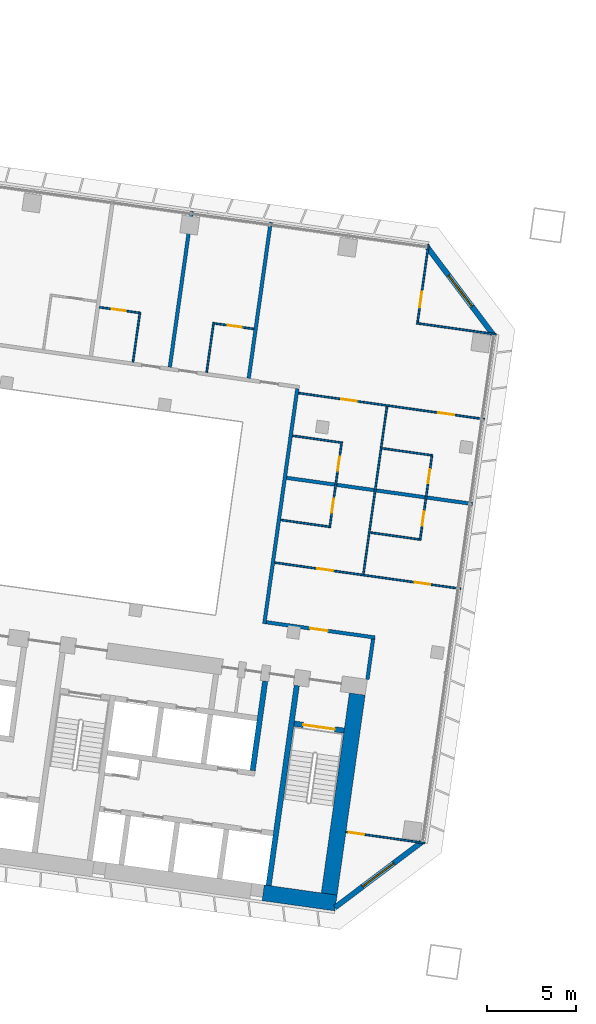
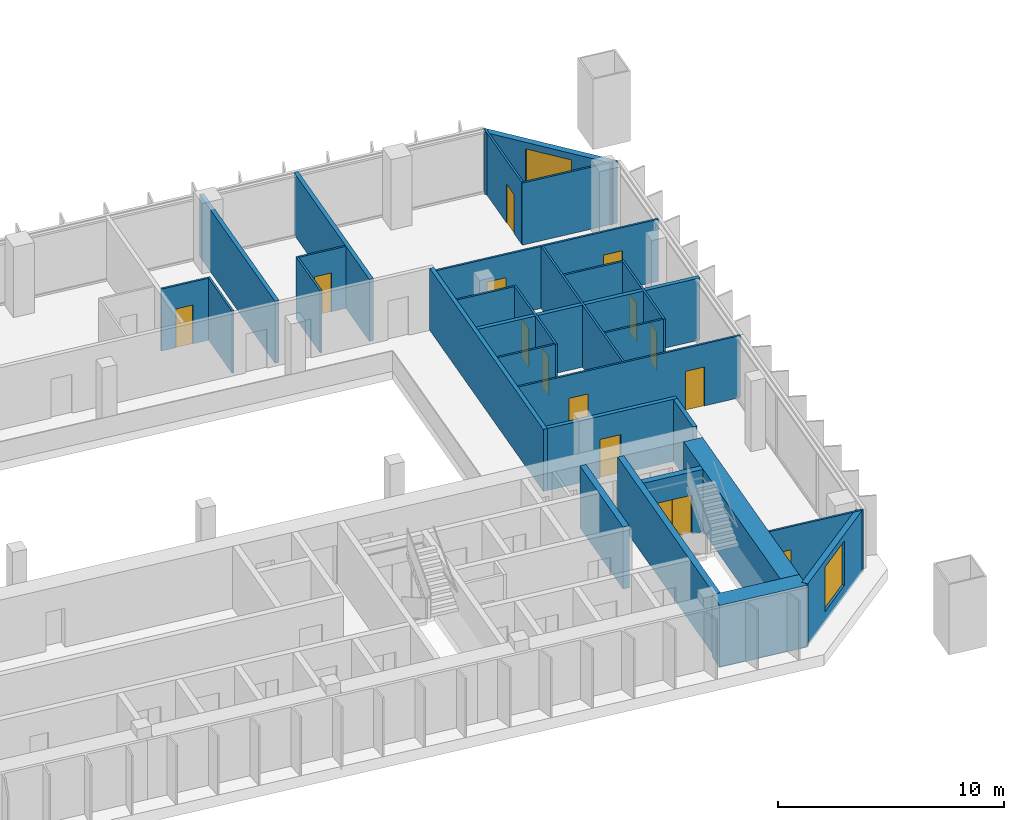
# One storey, part 17 of 25: 29 walls, 14 doors, 2 windows, 16 openings.
"""IFC4 building model written with IfcOpenShell, lengths in metres."""

from ifc_helpers import new_model, si_unit, direction, frame, frame_2d, origin, place, context, subcontext, project, spatial, rectangle, extrude, material, layer, layer_set, type_object, element, fill, save


model = new_model("IFC4")

# Units and contexts
model_context = context("Model", 3, precision=1e-05, world=origin(), true_north=direction((0.0, 1.0)))
body_context = subcontext(model_context, "Body", "Model", "MODEL_VIEW")
ifc_project = project(units=[si_unit("LENGTHUNIT", "METRE"), si_unit("AREAUNIT", "SQUARE_METRE"), si_unit("VOLUMEUNIT", "CUBIC_METRE"), si_unit("PLANEANGLEUNIT", "RADIAN"), si_unit("MASSUNIT", "GRAM", prefix="KILO")], contexts=[model_context])

# Site, building, storey
site_placement = place(None, origin())
site = spatial("IfcSite", under=ifc_project, at=site_placement, CompositionType="ELEMENT")
building_placement = place(site_placement, origin())
building = spatial("IfcBuilding", under=site, at=building_placement, Name="Mirante Cascada Hotel Towers", CompositionType="ELEMENT")
storey_placement = place(building_placement, frame((0.0, 0.0, 69.9)))
storey = spatial("IfcBuildingStorey", under=building, at=storey_placement, Name="L14", CompositionType="ELEMENT", Elevation=69.9)

# Wall, opening, door
ifc_material_1 = material(Name="Fire-rated plasterboard on metal studs")
ifc_layer_1 = layer(ifc_material_1, 0.2)
ifc_layer_set_1 = layer_set([ifc_layer_1], Name="Compartment wall 200 EI 120")
wall_type_1 = type_object("IfcWallType", Name="Compartment wall 200 EI 120", PredefinedType="PARTITIONING", material=ifc_layer_set_1)
wall_1_placement = place(storey_placement, frame((-34.8304, -4.7545, 0.0), z_axis=(0.0, 0.0, 1.0), x_axis=(-0.9902695, 0.1391629, 0.0)))
wall_1 = element("IfcWall", 1, at=wall_1_placement, inside=storey, type_object=wall_type_1, Name="Wall 1-L14-03", PredefinedType="PARTITIONING", context=body_context, shape_type="SweptSolid", body=[
    extrude(rectangle(XDim=6.1999, YDim=0.2, at=frame_2d((3.1, 0.0))), origin(), (0.0, 0.0, 1.0), 3.35),
])
opening_1_placement = place(wall_1_placement, frame((2.7, 0.0, 0.0)))
opening_1 = element("IfcOpeningElement", 2, at=opening_1_placement, cuts=wall_1, Name="Opening D1-L14-04", PredefinedType="OPENING", context=body_context, shape_type="SweptSolid", body=[
    extrude(rectangle(XDim=1.0, YDim=2.1, at=frame_2d((0.5, 1.05))), frame((0.0, 0.1, 0.0), z_axis=(0.0, -1.0, 0.0), x_axis=(1.0, 0.0, 0.0)), (0.0, 0.0, 1.0), 0.2),
])
ifc_material_2 = material(Name="Fire-rated timber door leaf", Category="wood")
door_type_1 = type_object("IfcDoorType", Name="Entrance door DG1 1000x2100 EI 60", OperationType="SINGLE_SWING_LEFT", PredefinedType="DOOR", material=ifc_material_2)
door_1_placement = place(opening_1_placement, origin())
door_1 = element("IfcDoor", 3, at=door_1_placement, inside=storey, type_object=door_type_1, Name="Door D1-L14-04", OperationType="SINGLE_SWING_LEFT", OverallHeight=2.1, OverallWidth=1.0, PredefinedType="DOOR", context=body_context, shape_type="SweptSolid", body=[
    extrude(rectangle(XDim=1.0, YDim=2.1, at=frame_2d((0.5, 1.05))), frame((0.0, 0.025, 0.0), z_axis=(0.0, -1.0, 0.0), x_axis=(1.0, 0.0, 0.0)), (0.0, 0.0, 1.0), 0.05),
])
fill(opening_1, door_1)

# Walls
wall_2_placement = place(storey_placement, frame((-29.3273, 2.7863, 0.0), z_axis=(0.0, 0.0, 1.0), x_axis=(-0.9902686, 0.1391691, 0.0)))
element("IfcWall", 4, at=wall_2_placement, inside=storey, type_object=wall_type_1, Name="Wall 1-L14-11", PredefinedType="PARTITIONING", context=body_context, shape_type="SweptSolid", body=[
    extrude(rectangle(XDim=10.6001, YDim=0.2, at=frame_2d((5.3, 0.0))), origin(), (0.0, 0.0, 1.0), 3.35),
])
wall_3_placement = place(storey_placement, frame((-34.9433, -4.8397, 0.0), z_axis=(0.0, 0.0, 1.0), x_axis=(-0.1391749, -0.9902678, 0.0)))
element("IfcWall", 5, at=wall_3_placement, inside=storey, type_object=wall_type_1, Name="Wall 1-L14-30", PredefinedType="PARTITIONING", context=body_context, shape_type="SweptSolid", body=[
    extrude(rectangle(XDim=2.3, YDim=0.2, at=frame_2d((1.15, 0.0))), origin(), (0.0, 0.0, 1.0), 3.35),
])
wall_4_placement = place(storey_placement, frame((-39.2181, 9.2928, 0.0), z_axis=(0.0, 0.0, 1.0), x_axis=(-0.1391716, -0.9902683, 0.0)))
element("IfcWall", 6, at=wall_4_placement, inside=storey, type_object=wall_type_1, Name="Wall 1-L14-34", PredefinedType="PARTITIONING", context=body_context, shape_type="SweptSolid", body=[
    extrude(rectangle(XDim=13.4, YDim=0.2, at=frame_2d((6.7, 0.0))), origin(), (0.0, 0.0, 1.0), 3.35),
])
for number, where, z_axis, x_axis, name in (
    (7, (-41.963, 9.8805, 0.0), (0.0, 0.0, 1.0), (0.1391794, 0.9902672, 0.0), "Wall 1-L14-35"),
    (8, (-46.4192, 10.5068, 0.0), (0.0, 0.0, 1.0), (0.1391794, 0.9902672, 0.0), "Wall 1-L14-37"),
):
    element("IfcWall", number, at=place(storey_placement, frame(where, z_axis=z_axis, x_axis=x_axis)), inside=storey, type_object=wall_type_1, Name=name, PredefinedType="PARTITIONING", context=body_context, shape_type="SweptSolid", body=[
        extrude(rectangle(XDim=8.9, YDim=0.2, at=frame_2d((4.45, 0.0))), origin(), (0.0, 0.0, 1.0), 3.35),
    ])

# Wall, opening, door
ifc_material_3 = material(Name="Plasterboard on metal studs")
ifc_layer_2 = layer(ifc_material_3, 0.1)
ifc_layer_set_2 = layer_set([ifc_layer_2], Name="Partition 100")
wall_type_2 = type_object("IfcWallType", Name="Partition 100", PredefinedType="PARTITIONING", material=ifc_layer_set_2)
wall_5_placement = place(storey_placement, frame((-32.018, -16.3589, 0.0), z_axis=(0.0, 0.0, 1.0), x_axis=(-0.9902674, 0.1391779, 0.0)))
wall_5 = element("IfcWall", 9, at=wall_5_placement, inside=storey, type_object=wall_type_2, Name="Wall 1-L14-01", PredefinedType="PARTITIONING", context=body_context, shape_type="SweptSolid", body=[
    extrude(rectangle(XDim=4.5, YDim=0.1, at=frame_2d((2.25, 0.0))), origin(), (0.0, 0.0, 1.0), 3.35),
])
opening_2_placement = place(wall_5_placement, frame((3.45, 0.0, 0.0)))
opening_2 = element("IfcOpeningElement", 10, at=opening_2_placement, cuts=wall_5, Name="Opening D1-L14-01", PredefinedType="OPENING", context=body_context, shape_type="SweptSolid", body=[
    extrude(rectangle(XDim=0.9, YDim=2.1, at=frame_2d((0.45, 1.05))), frame((0.0, 0.05, 0.0), z_axis=(0.0, -1.0, 0.0), x_axis=(1.0, 0.0, 0.0)), (0.0, 0.0, 1.0), 0.1),
])
ifc_material_4 = material(Name="Timber door leaf", Category="wood")
door_type_2 = type_object("IfcDoorType", Name="Room door DG3 900x2100", OperationType="SINGLE_SWING_LEFT", PredefinedType="DOOR", material=ifc_material_4)
door_2_placement = place(opening_2_placement, frame((0.9, 0.0, 0.0), z_axis=(0.0, 0.0, 1.0), x_axis=(-1.0, 0.0, 0.0)))
door_2 = element("IfcDoor", 11, at=door_2_placement, inside=storey, type_object=door_type_2, Name="Door D1-L14-01", OperationType="SINGLE_SWING_RIGHT", OverallHeight=2.1, OverallWidth=0.9, PredefinedType="DOOR", context=body_context, shape_type="SweptSolid", body=[
    extrude(rectangle(XDim=0.9, YDim=2.1, at=frame_2d((0.45, 1.05))), frame((0.0, 0.025, 0.0), z_axis=(0.0, -1.0, 0.0), x_axis=(1.0, 0.0, 0.0)), (0.0, 0.0, 1.0), 0.05),
])
fill(opening_2, door_2)

# Wall, openings, doors
wall_6_placement = place(storey_placement, frame((-40.4968, -0.5248, 0.0), z_axis=(0.0, 0.0, 1.0), x_axis=(0.9902684, -0.1391704, 0.0)))
wall_6 = element("IfcWall", 12, at=wall_6_placement, inside=storey, type_object=wall_type_2, Name="Wall 1-L14-06", PredefinedType="PARTITIONING", context=body_context, shape_type="SweptSolid", body=[
    extrude(rectangle(XDim=10.6, YDim=0.1, at=frame_2d((5.3, 0.0))), origin(), (0.0, 0.0, 1.0), 3.35),
])
opening_3_placement = place(wall_6_placement, frame((7.975, 0.0, 0.0)))
opening_3 = element("IfcOpeningElement", 13, at=opening_3_placement, cuts=wall_6, Name="Opening D1-L14-05", PredefinedType="OPENING", context=body_context, shape_type="SweptSolid", body=[
    extrude(rectangle(XDim=0.9, YDim=2.1, at=frame_2d((0.45, 1.05))), frame((0.0, 0.05, 0.0), z_axis=(0.0, -1.0, 0.0), x_axis=(1.0, 0.0, 0.0)), (0.0, 0.0, 1.0), 0.1),
])
opening_4_placement = place(wall_6_placement, frame((2.425, 0.0, 0.0)))
opening_4 = element("IfcOpeningElement", 14, at=opening_4_placement, cuts=wall_6, Name="Opening D1-L14-06", PredefinedType="OPENING", context=body_context, shape_type="SweptSolid", body=[
    extrude(rectangle(XDim=0.9, YDim=2.1, at=frame_2d((0.45, 1.05))), frame((0.0, 0.05, 0.0), z_axis=(0.0, -1.0, 0.0), x_axis=(1.0, 0.0, 0.0)), (0.0, 0.0, 1.0), 0.1),
])
door_3_placement = place(opening_3_placement, frame((0.9, 0.0, 0.0), z_axis=(0.0, 0.0, 1.0), x_axis=(-1.0, 0.0, 0.0)))
door_3 = element("IfcDoor", 15, at=door_3_placement, inside=storey, type_object=door_type_2, Name="Door D1-L14-05", OperationType="SINGLE_SWING_RIGHT", OverallHeight=2.1, OverallWidth=0.9, PredefinedType="DOOR", context=body_context, shape_type="SweptSolid", body=[
    extrude(rectangle(XDim=0.9, YDim=2.1, at=frame_2d((0.45, 1.05))), frame((0.0, 0.025, 0.0), z_axis=(0.0, -1.0, 0.0), x_axis=(1.0, 0.0, 0.0)), (0.0, 0.0, 1.0), 0.05),
])
fill(opening_3, door_3)
door_4_placement = place(opening_4_placement, frame((0.9, 0.0, 0.0), z_axis=(0.0, 0.0, 1.0), x_axis=(-1.0, 0.0, 0.0)))
door_4 = element("IfcDoor", 16, at=door_4_placement, inside=storey, type_object=door_type_2, Name="Door D1-L14-06", OperationType="SINGLE_SWING_RIGHT", OverallHeight=2.1, OverallWidth=0.9, PredefinedType="DOOR", context=body_context, shape_type="SweptSolid", body=[
    extrude(rectangle(XDim=0.9, YDim=2.1, at=frame_2d((0.45, 1.05))), frame((0.0, 0.025, 0.0), z_axis=(0.0, -1.0, 0.0), x_axis=(1.0, 0.0, 0.0)), (0.0, 0.0, 1.0), 0.05),
])
fill(opening_4, door_4)

# Walls
wall_7_placement = place(storey_placement, frame((-32.3351, 0.7854, 0.0), z_axis=(0.0, 0.0, 1.0), x_axis=(-0.990267, 0.139181, 0.0)))
element("IfcWall", 17, at=wall_7_placement, inside=storey, type_object=wall_type_2, Name="Wall 1-L14-09", PredefinedType="PARTITIONING", context=body_context, shape_type="SweptSolid", body=[
    extrude(rectangle(XDim=2.8, YDim=0.1, at=frame_2d((1.4, 0.0))), origin(), (0.0, 0.0, 1.0), 3.35),
])
wall_8_placement = place(storey_placement, frame((-40.1582, 1.8849, 0.0), z_axis=(0.0, 0.0, 1.0), x_axis=(0.9902641, -0.1392013, 0.0)))
element("IfcWall", 18, at=wall_8_placement, inside=storey, type_object=wall_type_2, Name="Wall 1-L14-10", PredefinedType="PARTITIONING", context=body_context, shape_type="SweptSolid", body=[
    extrude(rectangle(XDim=2.75, YDim=0.1, at=frame_2d((1.375, 0.0))), origin(), (0.0, 0.0, 1.0), 3.35),
])
wall_9_placement = place(storey_placement, frame((-31.667, 5.5387, 0.0), z_axis=(0.0, 0.0, 1.0), x_axis=(-0.9902677, 0.139176, 0.0)))
element("IfcWall", 19, at=wall_9_placement, inside=storey, type_object=wall_type_2, Name="Wall 1-L14-13", PredefinedType="PARTITIONING", context=body_context, shape_type="SweptSolid", body=[
    extrude(rectangle(XDim=2.8001, YDim=0.1, at=frame_2d((1.4, 0.0))), origin(), (0.0, 0.0, 1.0), 3.35),
])
wall_10_placement = place(storey_placement, frame((-39.4902, 6.6381, 0.0), z_axis=(0.0, 0.0, 1.0), x_axis=(0.9902698, -0.1391607, 0.0)))
element("IfcWall", 20, at=wall_10_placement, inside=storey, type_object=wall_type_2, Name="Wall 1-L14-14", PredefinedType="PARTITIONING", context=body_context, shape_type="SweptSolid", body=[
    extrude(rectangle(XDim=2.7501, YDim=0.1, at=frame_2d((1.3751, 0.0))), origin(), (0.0, 0.0, 1.0), 3.35),
])

# Wall, openings, doors
wall_11_placement = place(storey_placement, frame((-28.6547, 7.5726, 0.0), z_axis=(0.0, 0.0, 1.0), x_axis=(-0.9902671, 0.1391797, 0.0)))
wall_11 = element("IfcWall", 21, at=wall_11_placement, inside=storey, type_object=wall_type_2, Name="Wall 1-L14-17", PredefinedType="PARTITIONING", context=body_context, shape_type="SweptSolid", body=[
    extrude(rectangle(XDim=10.6, YDim=0.1, at=frame_2d((5.3, 0.0))), origin(), (0.0, 0.0, 1.0), 3.35),
])
opening_5_placement = place(wall_11_placement, frame((1.725, 0.0, 0.0)))
opening_5 = element("IfcOpeningElement", 22, at=opening_5_placement, cuts=wall_11, Name="Opening D1-L14-07", PredefinedType="OPENING", context=body_context, shape_type="SweptSolid", body=[
    extrude(rectangle(XDim=0.9, YDim=2.1, at=frame_2d((0.45, 1.05))), frame((0.0, 0.05, 0.0), z_axis=(0.0, -1.0, 0.0), x_axis=(1.0, 0.0, 0.0)), (0.0, 0.0, 1.0), 0.1),
])
opening_6_placement = place(wall_11_placement, frame((7.275, 0.0, 0.0)))
opening_6 = element("IfcOpeningElement", 23, at=opening_6_placement, cuts=wall_11, Name="Opening D1-L14-08", PredefinedType="OPENING", context=body_context, shape_type="SweptSolid", body=[
    extrude(rectangle(XDim=0.9, YDim=2.1, at=frame_2d((0.45, 1.05))), frame((0.0, 0.05, 0.0), z_axis=(0.0, -1.0, 0.0), x_axis=(1.0, 0.0, 0.0)), (0.0, 0.0, 1.0), 0.1),
])
door_5_placement = place(opening_5_placement, frame((0.9, 0.0, 0.0), z_axis=(0.0, 0.0, 1.0), x_axis=(-1.0, 0.0, 0.0)))
door_5 = element("IfcDoor", 24, at=door_5_placement, inside=storey, type_object=door_type_2, Name="Door D1-L14-07", OperationType="SINGLE_SWING_RIGHT", OverallHeight=2.1, OverallWidth=0.9, PredefinedType="DOOR", context=body_context, shape_type="SweptSolid", body=[
    extrude(rectangle(XDim=0.9, YDim=2.1, at=frame_2d((0.45, 1.05))), frame((0.0, 0.025, 0.0), z_axis=(0.0, -1.0, 0.0), x_axis=(1.0, 0.0, 0.0)), (0.0, 0.0, 1.0), 0.05),
])
fill(opening_5, door_5)
door_6_placement = place(opening_6_placement, frame((0.9, 0.0, 0.0), z_axis=(0.0, 0.0, 1.0), x_axis=(-1.0, 0.0, 0.0)))
door_6 = element("IfcDoor", 25, at=door_6_placement, inside=storey, type_object=door_type_2, Name="Door D1-L14-08", OperationType="SINGLE_SWING_RIGHT", OverallHeight=2.1, OverallWidth=0.9, PredefinedType="DOOR", context=body_context, shape_type="SweptSolid", body=[
    extrude(rectangle(XDim=0.9, YDim=2.1, at=frame_2d((0.45, 1.05))), frame((0.0, 0.025, 0.0), z_axis=(0.0, -1.0, 0.0), x_axis=(1.0, 0.0, 0.0)), (0.0, 0.0, 1.0), 0.05),
])
fill(opening_6, door_6)

# Wall, opening, door
wall_12_placement = place(storey_placement, frame((-43.9004, 12.9804, 0.0), z_axis=(0.0, 0.0, 1.0), x_axis=(0.9902643, -0.1391997, 0.0)))
wall_12 = element("IfcWall", 26, at=wall_12_placement, inside=storey, type_object=wall_type_2, Name="Wall 1-L14-20", PredefinedType="PARTITIONING", context=body_context, shape_type="SweptSolid", body=[
    extrude(rectangle(XDim=2.25, YDim=0.1, at=frame_2d((1.125, 0.0))), origin(), (0.0, 0.0, 1.0), 3.35),
])
opening_7_placement = place(wall_12_placement, frame((0.75, 0.0, 0.0)))
opening_7 = element("IfcOpeningElement", 27, at=opening_7_placement, cuts=wall_12, Name="Opening D1-L14-21", PredefinedType="OPENING", context=body_context, shape_type="SweptSolid", body=[
    extrude(rectangle(XDim=0.8, YDim=2.1, at=frame_2d((0.4, 1.05))), frame((0.0, 0.05, 0.0), z_axis=(0.0, -1.0, 0.0), x_axis=(1.0, 0.0, 0.0)), (0.0, 0.0, 1.0), 0.1),
])
ifc_material_5 = material(Name="Timber door leaf", Category="wood")
door_type_3 = type_object("IfcDoorType", Name="Bathroom door DG4 800x2100", OperationType="SINGLE_SWING_LEFT", PredefinedType="DOOR", material=ifc_material_5)
door_7_placement = place(opening_7_placement, origin())
door_7 = element("IfcDoor", 28, at=door_7_placement, inside=storey, type_object=door_type_3, Name="Door D1-L14-21", OperationType="SINGLE_SWING_LEFT", OverallHeight=2.1, OverallWidth=0.8, PredefinedType="DOOR", context=body_context, shape_type="SweptSolid", body=[
    extrude(rectangle(XDim=0.8, YDim=2.1, at=frame_2d((0.4, 1.05))), frame((0.0, 0.025, 0.0), z_axis=(0.0, -1.0, 0.0), x_axis=(1.0, 0.0, 0.0)), (0.0, 0.0, 1.0), 0.05),
])
fill(opening_7, door_7)

wall_13_placement = place(storey_placement, frame((-48.1586, 13.5788, 0.0), z_axis=(0.0, 0.0, 1.0), x_axis=(-0.9902705, 0.1391561, 0.0)))
wall_13 = element("IfcWall", 29, at=wall_13_placement, inside=storey, type_object=wall_type_2, Name="Wall 1-L14-21", PredefinedType="PARTITIONING", context=body_context, shape_type="SweptSolid", body=[
    extrude(rectangle(XDim=2.25, YDim=0.1, at=frame_2d((1.125, 0.0))), origin(), (0.0, 0.0, 1.0), 3.35),
])
opening_8_placement = place(wall_13_placement, frame((0.75, 0.0, 0.0)))
opening_8 = element("IfcOpeningElement", 30, at=opening_8_placement, cuts=wall_13, Name="Opening D1-L14-22", PredefinedType="OPENING", context=body_context, shape_type="SweptSolid", body=[
    extrude(rectangle(XDim=0.8, YDim=2.1, at=frame_2d((0.4, 1.05))), frame((0.0, 0.05, 0.0), z_axis=(0.0, -1.0, 0.0), x_axis=(1.0, 0.0, 0.0)), (0.0, 0.0, 1.0), 0.1),
])
door_8_placement = place(opening_8_placement, frame((0.8, 0.0, 0.0), z_axis=(0.0, 0.0, 1.0), x_axis=(-1.0, 0.0, 0.0)))
door_8 = element("IfcDoor", 31, at=door_8_placement, inside=storey, type_object=door_type_3, Name="Door D1-L14-22", OperationType="SINGLE_SWING_RIGHT", OverallHeight=2.1, OverallWidth=0.8, PredefinedType="DOOR", context=body_context, shape_type="SweptSolid", body=[
    extrude(rectangle(XDim=0.8, YDim=2.1, at=frame_2d((0.4, 1.05))), frame((0.0, 0.025, 0.0), z_axis=(0.0, -1.0, 0.0), x_axis=(1.0, 0.0, 0.0)), (0.0, 0.0, 1.0), 0.05),
])
fill(opening_8, door_8)

# Wall
wall_14_placement = place(storey_placement, frame((-27.982, 12.3589, 0.0), z_axis=(0.0, 0.0, 1.0), x_axis=(-0.9902691, 0.1391656, 0.0)))
element("IfcWall", 32, at=wall_14_placement, inside=storey, type_object=wall_type_2, Name="Wall 1-L14-27", PredefinedType="PARTITIONING", context=body_context, shape_type="SweptSolid", body=[
    extrude(rectangle(XDim=4.55, YDim=0.1, at=frame_2d((2.275, 0.0))), origin(), (0.0, 0.0, 1.0), 3.35),
])

# Wall, openings, doors
wall_15_placement = place(storey_placement, frame((-32.2925, 0.7289, 0.0), z_axis=(0.0, 0.0, 1.0), x_axis=(0.1391638, 0.9902694, 0.0)))
wall_15 = element("IfcWall", 33, at=wall_15_placement, inside=storey, type_object=wall_type_2, Name="Wall 1-L14-29", PredefinedType="PARTITIONING", context=body_context, shape_type="SweptSolid", body=[
    extrude(rectangle(XDim=4.9, YDim=0.1, at=frame_2d((2.45, 0.0))), origin(), (0.0, 0.0, 1.0), 3.35),
])
opening_9_placement = place(wall_15_placement, frame((0.85, 0.0, 0.0)))
opening_9 = element("IfcOpeningElement", 34, at=opening_9_placement, cuts=wall_15, Name="Opening D1-L14-29", PredefinedType="OPENING", context=body_context, shape_type="SweptSolid", body=[
    extrude(rectangle(XDim=0.8, YDim=2.1, at=frame_2d((0.4, 1.05))), frame((0.0, 0.05, 0.0), z_axis=(0.0, -1.0, 0.0), x_axis=(1.0, 0.0, 0.0)), (0.0, 0.0, 1.0), 0.1),
])
opening_10_placement = place(wall_15_placement, frame((3.25, 0.0, 0.0)))
opening_10 = element("IfcOpeningElement", 35, at=opening_10_placement, cuts=wall_15, Name="Opening D1-L14-30", PredefinedType="OPENING", context=body_context, shape_type="SweptSolid", body=[
    extrude(rectangle(XDim=0.8, YDim=2.1, at=frame_2d((0.4, 1.05))), frame((0.0, 0.05, 0.0), z_axis=(0.0, -1.0, 0.0), x_axis=(1.0, 0.0, 0.0)), (0.0, 0.0, 1.0), 0.1),
])
door_9_placement = place(opening_9_placement, origin())
door_9 = element("IfcDoor", 36, at=door_9_placement, inside=storey, type_object=door_type_3, Name="Door D1-L14-29", OperationType="SINGLE_SWING_LEFT", OverallHeight=2.1, OverallWidth=0.8, PredefinedType="DOOR", context=body_context, shape_type="SweptSolid", body=[
    extrude(rectangle(XDim=0.8, YDim=2.1, at=frame_2d((0.4, 1.05))), frame((0.0, 0.025, 0.0), z_axis=(0.0, -1.0, 0.0), x_axis=(1.0, 0.0, 0.0)), (0.0, 0.0, 1.0), 0.05),
])
fill(opening_9, door_9)
door_10_placement = place(opening_10_placement, origin())
door_10 = element("IfcDoor", 37, at=door_10_placement, inside=storey, type_object=door_type_3, Name="Door D1-L14-30", OperationType="SINGLE_SWING_LEFT", OverallHeight=2.1, OverallWidth=0.8, PredefinedType="DOOR", context=body_context, shape_type="SweptSolid", body=[
    extrude(rectangle(XDim=0.8, YDim=2.1, at=frame_2d((0.4, 1.05))), frame((0.0, 0.025, 0.0), z_axis=(0.0, -1.0, 0.0), x_axis=(1.0, 0.0, 0.0)), (0.0, 0.0, 1.0), 0.05),
])
fill(opening_10, door_10)

# Wall, opening, door
wall_16_placement = place(storey_placement, frame((-32.4312, 13.0347, 0.0), z_axis=(0.0, 0.0, 1.0), x_axis=(0.1391684, 0.9902687, 0.0)))
wall_16 = element("IfcWall", 38, at=wall_16_placement, inside=storey, type_object=wall_type_2, Name="Wall 1-L14-31", PredefinedType="PARTITIONING", context=body_context, shape_type="SweptSolid", body=[
    extrude(rectangle(XDim=4.45, YDim=0.1, at=frame_2d((2.225, 0.0))), origin(), (0.0, 0.0, 1.0), 3.35),
])
opening_11_placement = place(wall_16_placement, frame((0.8583, 0.0, 0.0)))
opening_11 = element("IfcOpeningElement", 39, at=opening_11_placement, cuts=wall_16, Name="Opening D1-L14-31", PredefinedType="OPENING", context=body_context, shape_type="SweptSolid", body=[
    extrude(rectangle(XDim=0.9, YDim=2.1, at=frame_2d((0.45, 1.05))), frame((0.0, 0.05, 0.0), z_axis=(0.0, -1.0, 0.0), x_axis=(1.0, 0.0, 0.0)), (0.0, 0.0, 1.0), 0.1),
])
door_11_placement = place(opening_11_placement, origin())
door_11 = element("IfcDoor", 40, at=door_11_placement, inside=storey, type_object=door_type_2, Name="Door D1-L14-31", OperationType="SINGLE_SWING_LEFT", OverallHeight=2.1, OverallWidth=0.9, PredefinedType="DOOR", context=body_context, shape_type="SweptSolid", body=[
    extrude(rectangle(XDim=0.9, YDim=2.1, at=frame_2d((0.45, 1.05))), frame((0.0, 0.025, 0.0), z_axis=(0.0, -1.0, 0.0), x_axis=(1.0, 0.0, 0.0)), (0.0, 0.0, 1.0), 0.05),
])
fill(opening_11, door_11)

# Wall
wall_17_placement = place(storey_placement, frame((-34.1576, 8.2955, 0.0), z_axis=(0.0, 0.0, 1.0), x_axis=(-0.1391703, -0.9902685, 0.0)))
element("IfcWall", 41, at=wall_17_placement, inside=storey, type_object=wall_type_2, Name="Wall 1-L14-32", PredefinedType="PARTITIONING", context=body_context, shape_type="SweptSolid", body=[
    extrude(rectangle(XDim=9.5667, YDim=0.1, at=frame_2d((4.7834, 0.0))), origin(), (0.0, 0.0, 1.0), 3.35),
])

# Wall, openings, doors
wall_18_placement = place(storey_placement, frame((-37.3924, 1.4457, 0.0), z_axis=(0.0, 0.0, 1.0), x_axis=(0.1391638, 0.9902694, 0.0)))
wall_18 = element("IfcWall", 42, at=wall_18_placement, inside=storey, type_object=wall_type_2, Name="Wall 1-L14-33", PredefinedType="PARTITIONING", context=body_context, shape_type="SweptSolid", body=[
    extrude(rectangle(XDim=4.9, YDim=0.1, at=frame_2d((2.45, 0.0))), origin(), (0.0, 0.0, 1.0), 3.35),
])
opening_12_placement = place(wall_18_placement, frame((0.85, 0.0, 0.0)))
opening_12 = element("IfcOpeningElement", 43, at=opening_12_placement, cuts=wall_18, Name="Opening D1-L14-32", PredefinedType="OPENING", context=body_context, shape_type="SweptSolid", body=[
    extrude(rectangle(XDim=0.8, YDim=2.1, at=frame_2d((0.4, 1.05))), frame((0.0, 0.05, 0.0), z_axis=(0.0, -1.0, 0.0), x_axis=(1.0, 0.0, 0.0)), (0.0, 0.0, 1.0), 0.1),
])
opening_13_placement = place(wall_18_placement, frame((3.25, 0.0, 0.0)))
opening_13 = element("IfcOpeningElement", 44, at=opening_13_placement, cuts=wall_18, Name="Opening D1-L14-33", PredefinedType="OPENING", context=body_context, shape_type="SweptSolid", body=[
    extrude(rectangle(XDim=0.8, YDim=2.1, at=frame_2d((0.4, 1.05))), frame((0.0, 0.05, 0.0), z_axis=(0.0, -1.0, 0.0), x_axis=(1.0, 0.0, 0.0)), (0.0, 0.0, 1.0), 0.1),
])
door_12_placement = place(opening_12_placement, origin())
door_12 = element("IfcDoor", 45, at=door_12_placement, inside=storey, type_object=door_type_3, Name="Door D1-L14-32", OperationType="SINGLE_SWING_LEFT", OverallHeight=2.1, OverallWidth=0.8, PredefinedType="DOOR", context=body_context, shape_type="SweptSolid", body=[
    extrude(rectangle(XDim=0.8, YDim=2.1, at=frame_2d((0.4, 1.05))), frame((0.0, 0.025, 0.0), z_axis=(0.0, -1.0, 0.0), x_axis=(1.0, 0.0, 0.0)), (0.0, 0.0, 1.0), 0.05),
])
fill(opening_12, door_12)
door_13_placement = place(opening_13_placement, origin())
door_13 = element("IfcDoor", 46, at=door_13_placement, inside=storey, type_object=door_type_3, Name="Door D1-L14-33", OperationType="SINGLE_SWING_LEFT", OverallHeight=2.1, OverallWidth=0.8, PredefinedType="DOOR", context=body_context, shape_type="SweptSolid", body=[
    extrude(rectangle(XDim=0.8, YDim=2.1, at=frame_2d((0.4, 1.05))), frame((0.0, 0.025, 0.0), z_axis=(0.0, -1.0, 0.0), x_axis=(1.0, 0.0, 0.0)), (0.0, 0.0, 1.0), 0.05),
])
fill(opening_13, door_13)

# Walls
wall_19_placement = place(storey_placement, frame((-43.943, 13.0368, 0.0), z_axis=(0.0, 0.0, 1.0), x_axis=(-0.1391613, -0.9902697, 0.0)))
element("IfcWall", 47, at=wall_19_placement, inside=storey, type_object=wall_type_2, Name="Wall 1-L14-36", PredefinedType="PARTITIONING", context=body_context, shape_type="SweptSolid", body=[
    extrude(rectangle(XDim=2.8499, YDim=0.1, at=frame_2d((1.425, 0.0))), origin(), (0.0, 0.0, 1.0), 3.35),
])
wall_20_placement = place(storey_placement, frame((-48.1021, 13.6214, 0.0), z_axis=(0.0, 0.0, 1.0), x_axis=(-0.1391564, -0.9902704, 0.0)))
element("IfcWall", 48, at=wall_20_placement, inside=storey, type_object=wall_type_2, Name="Wall 1-L14-38", PredefinedType="PARTITIONING", context=body_context, shape_type="SweptSolid", body=[
    extrude(rectangle(XDim=2.85, YDim=0.1, at=frame_2d((1.425, 0.0))), origin(), (0.0, 0.0, 1.0), 3.35),
])

# Wall, opening, window
ifc_material_6 = material(Name="Precast concrete C40/50", Category="concrete")
ifc_layer_3 = layer(ifc_material_6, 0.3)
ifc_layer_set_3 = layer_set([ifc_layer_3], Name="Precast concrete C40/50 cladding wall 300")
wall_type_3 = type_object("IfcWallType", Name="Precast concrete C40/50 cladding wall 300", PredefinedType="STANDARD", material=ifc_layer_set_3)
wall_21_placement = place(storey_placement, frame((-31.857, 17.252, 0.0), z_axis=(0.0, 0.0, 1.0), x_axis=(0.6018141, -0.7986362, 0.0)))
wall_21 = element("IfcWall", 49, at=wall_21_placement, inside=storey, type_object=wall_type_3, Name="Corner cladding wall T1 L14 front inner", PredefinedType="STANDARD", context=body_context, shape_type="SweptSolid", body=[
    extrude(rectangle(XDim=6.1157, YDim=0.3, at=frame_2d((3.0578, 0.0))), origin(), (0.0, 0.0, 1.0), 3.35),
])
opening_14_placement = place(wall_21_placement, frame((1.9578, 0.0, 0.6)))
opening_14 = element("IfcOpeningElement", 50, at=opening_14_placement, cuts=wall_21, Name="Opening W1-14-04", PredefinedType="OPENING", context=body_context, shape_type="SweptSolid", body=[
    extrude(rectangle(XDim=2.2, YDim=2.4, at=frame_2d((1.1, 1.2))), frame((0.0, 0.15, 0.0), z_axis=(0.0, -1.0, 0.0), x_axis=(1.0, 0.0, 0.0)), (0.0, 0.0, 1.0), 0.3),
])
ifc_material_7 = material(Name="Aluminium frame with clear double glazing", Category="aluminium")
window_type = type_object("IfcWindowType", Name="Corner suite window 2200x2400", PartitioningType="DOUBLE_PANEL_VERTICAL", PredefinedType="WINDOW", material=ifc_material_7)
window_1_placement = place(opening_14_placement, origin())
window_1 = element("IfcWindow", 51, at=window_1_placement, inside=storey, type_object=window_type, Name="Window W1-14-04", OverallHeight=2.4, OverallWidth=2.2, PartitioningType="SINGLE_PANEL", PredefinedType="WINDOW", context=body_context, shape_type="SweptSolid", body=[
    extrude(rectangle(XDim=2.2, YDim=2.4, at=frame_2d((1.1, 1.2))), frame((0.0, 0.03, 0.0), z_axis=(0.0, -1.0, 0.0), x_axis=(1.0, 0.0, 0.0)), (0.0, 0.0, 1.0), 0.06),
])
fill(opening_14, window_1)

wall_22_placement = place(storey_placement, frame((-32.2074, -16.3138, 0.0), z_axis=(0.0, 0.0, 1.0), x_axis=(-0.7986362, -0.6018141, 0.0)))
wall_22 = element("IfcWall", 52, at=wall_22_placement, inside=storey, type_object=wall_type_3, Name="Corner cladding wall T1 L14 inner rear", PredefinedType="STANDARD", context=body_context, shape_type="SweptSolid", body=[
    extrude(rectangle(XDim=6.1157, YDim=0.3, at=frame_2d((3.0578, 0.0))), origin(), (0.0, 0.0, 1.0), 3.35),
])
opening_15_placement = place(wall_22_placement, frame((1.9578, 0.0, 0.6)))
opening_15 = element("IfcOpeningElement", 53, at=opening_15_placement, cuts=wall_22, Name="Opening W1-14-05", PredefinedType="OPENING", context=body_context, shape_type="SweptSolid", body=[
    extrude(rectangle(XDim=2.2, YDim=2.4, at=frame_2d((1.1, 1.2))), frame((0.0, 0.15, 0.0), z_axis=(0.0, -1.0, 0.0), x_axis=(1.0, 0.0, 0.0)), (0.0, 0.0, 1.0), 0.3),
])
window_2_placement = place(opening_15_placement, origin())
window_2 = element("IfcWindow", 54, at=window_2_placement, inside=storey, type_object=window_type, Name="Window W1-14-05", OverallHeight=2.4, OverallWidth=2.2, PartitioningType="SINGLE_PANEL", PredefinedType="WINDOW", context=body_context, shape_type="SweptSolid", body=[
    extrude(rectangle(XDim=2.2, YDim=2.4, at=frame_2d((1.1, 1.2))), frame((0.0, 0.03, 0.0), z_axis=(0.0, -1.0, 0.0), x_axis=(1.0, 0.0, 0.0)), (0.0, 0.0, 1.0), 0.06),
])
fill(opening_15, window_2)

# Wall
ifc_material_8 = material(Name="Concrete C50/60", Category="concrete")
ifc_layer_4 = layer(ifc_material_8, 0.3)
ifc_layer_set_4 = layer_set([ifc_layer_4], Name="RC core wall 300 C50/60")
wall_type_4 = type_object("IfcWallType", Name="RC core wall 300 C50/60", PredefinedType="SHEAR", material=ifc_layer_set_4)
wall_23_placement = place(storey_placement, frame((-40.8373, -18.7548, 0.0), z_axis=(0.0, 0.0, 1.0), x_axis=(0.1391749, 0.9902678, 0.0)))
element("IfcWall", 55, at=wall_23_placement, inside=storey, type_object=wall_type_4, Name="Core wall T1:L14:5", PredefinedType="SHEAR", context=body_context, shape_type="SweptSolid", body=[
    extrude(rectangle(XDim=11.4, YDim=0.3, at=frame_2d((5.7, 0.0))), origin(), (0.0, 0.0, 1.0), 3.35),
])

# Wall, opening, door
wall_24_placement = place(storey_placement, frame((-36.5791, -10.0123, 0.0), z_axis=(0.0, 0.0, 1.0), x_axis=(-0.9902704, 0.1391564, 0.0)))
wall_24 = element("IfcWall", 56, at=wall_24_placement, inside=storey, type_object=wall_type_4, Name="Core wall T1:L14:9", PredefinedType="SHEAR", context=body_context, shape_type="SweptSolid", body=[
    extrude(rectangle(XDim=2.85, YDim=0.3, at=frame_2d((1.425, 0.0))), origin(), (0.0, 0.0, 1.0), 3.35),
])
opening_16_placement = place(wall_24_placement, frame((0.525, 0.0, 0.0)))
opening_16 = element("IfcOpeningElement", 57, at=opening_16_placement, cuts=wall_24, Name="Opening D1-14-C13", PredefinedType="OPENING", context=body_context, shape_type="SweptSolid", body=[
    extrude(rectangle(XDim=1.8, YDim=2.1, at=frame_2d((0.9, 1.05))), frame((0.0, 0.15, 0.0), z_axis=(0.0, -1.0, 0.0), x_axis=(1.0, 0.0, 0.0)), (0.0, 0.0, 1.0), 0.3),
])
ifc_material_9 = material(Name="Hollow metal fire door leaf")
door_type_4 = type_object("IfcDoorType", Name="Double fire door 1800x2100 FD60", OperationType="DOUBLE_DOOR_SINGLE_SWING", PredefinedType="DOOR", material=ifc_material_9)
door_14_placement = place(opening_16_placement, origin())
door_14 = element("IfcDoor", 58, at=door_14_placement, inside=storey, type_object=door_type_4, Name="Stair door T1 L14 13", OperationType="DOUBLE_DOOR_SINGLE_SWING", OverallHeight=2.1, OverallWidth=1.8, PredefinedType="DOOR", context=body_context, shape_type="SweptSolid", body=[
    extrude(rectangle(XDim=0.895, YDim=2.1, at=frame_2d((0.4475, 1.05))), frame((0.0, 0.025, 0.0), z_axis=(0.0, -1.0, 0.0), x_axis=(1.0, 0.0, 0.0)), (0.0, 0.0, 1.0), 0.05),
    extrude(rectangle(XDim=0.895, YDim=2.1, at=frame_2d((1.3525, 1.05))), frame((0.0, 0.025, 0.0), z_axis=(0.0, -1.0, 0.0), x_axis=(1.0, 0.0, 0.0)), (0.0, 0.0, 1.0), 0.05),
])
fill(opening_16, door_14)

# Walls
wall_25_placement = place(storey_placement, frame((-41.743, -12.2656, 0.0), z_axis=(0.0, 0.0, 1.0), x_axis=(0.1391755, 0.9902677, 0.0)))
element("IfcWall", 59, at=wall_25_placement, inside=storey, type_object=wall_type_4, Name="Core wall T1:L14:20", PredefinedType="SHEAR", context=body_context, shape_type="SweptSolid", body=[
    extrude(rectangle(XDim=5.1, YDim=0.3, at=frame_2d((2.55, 0.0))), origin(), (0.0, 0.0, 1.0), 3.35),
])
ifc_material_10 = material(Name="Concrete C50/60", Category="concrete")
ifc_layer_5 = layer(ifc_material_10, 0.9)
ifc_layer_set_5 = layer_set([ifc_layer_5], Name="RC core wall 900 C50/60")
wall_type_5 = type_object("IfcWallType", Name="RC core wall 900 C50/60", PredefinedType="SHEAR", material=ifc_layer_set_5)
wall_26_placement = place(storey_placement, frame((-37.0379, -19.7432, 0.0), z_axis=(0.0, 0.0, 1.0), x_axis=(-0.990267, 0.139181, 0.0)))
element("IfcWall", 60, at=wall_26_placement, inside=storey, type_object=wall_type_5, Name="Core wall T1:L14:1.1", PredefinedType="SHEAR", context=body_context, shape_type="SweptSolid", body=[
    extrude(rectangle(XDim=4.15, YDim=0.9, at=frame_2d((2.075, 0.0))), origin(), (0.0, 0.0, 1.0), 3.35),
])
wall_27_placement = place(storey_placement, frame((-37.4209, -19.2349, 0.0), z_axis=(0.0, 0.0, 1.0), x_axis=(0.1391761, 0.9902677, 0.0)))
element("IfcWall", 61, at=wall_27_placement, inside=storey, type_object=wall_type_5, Name="Core wall T1:L14:3", PredefinedType="SHEAR", context=body_context, shape_type="SweptSolid", body=[
    extrude(rectangle(XDim=11.3999, YDim=0.9, at=frame_2d((5.7, 0.0))), origin(), (0.0, 0.0, 1.0), 3.35),
])

save(model, "model.ifc")
